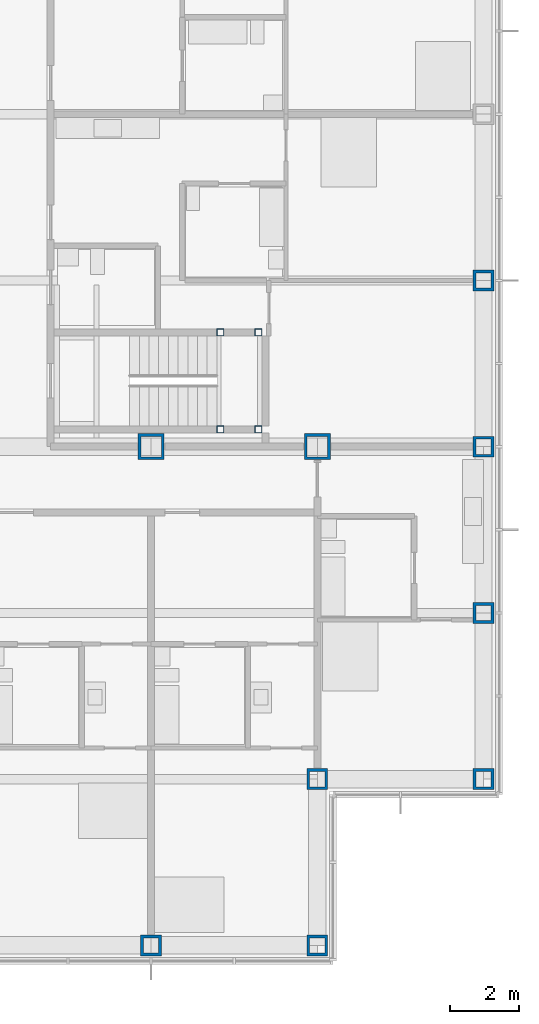
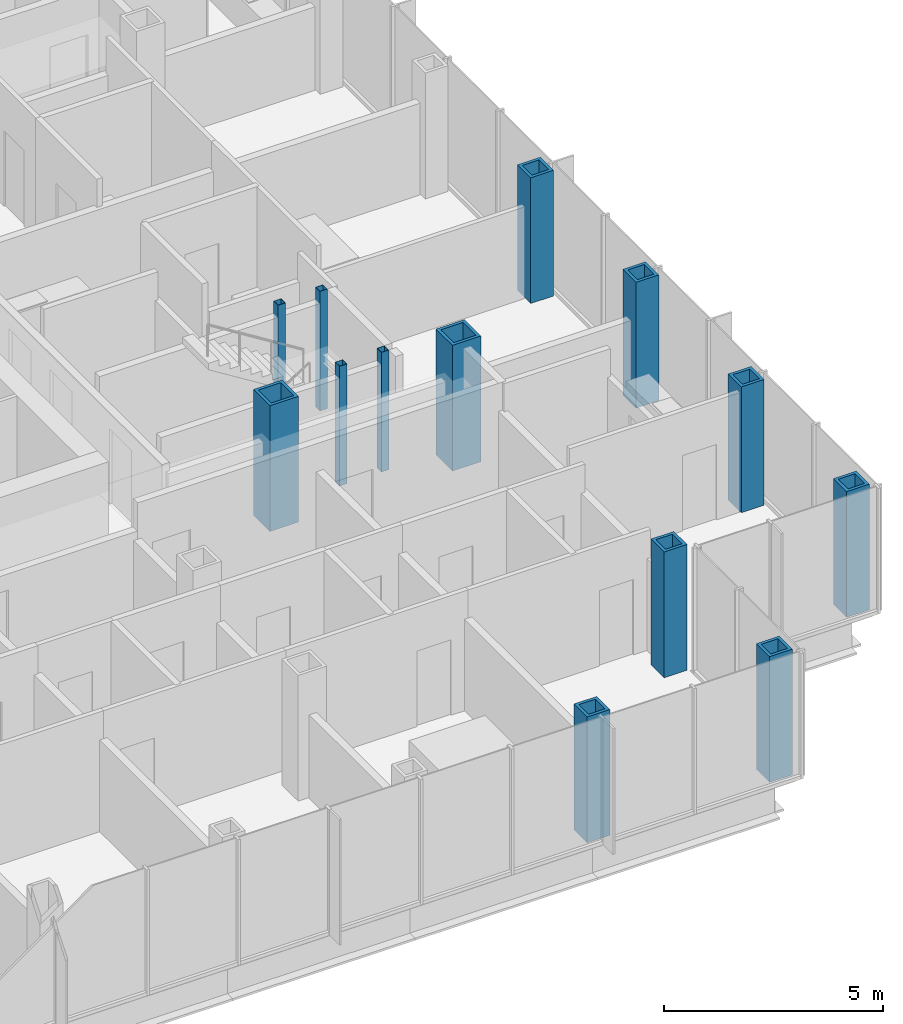
# One storey, part 4 of 22: 13 columns.
"""IFC4 building model written with IfcOpenShell, lengths in metres."""

from ifc_helpers import new_model, si_unit, direction, frame, origin, origin_2d, place, context, subcontext, project, spatial, hollow_rectangle, extrude, material, material_profile, profile_set, type_object, element, save


model = new_model("IFC4")

# Units and contexts
model_context = context("Model", 3, precision=1e-05, world=origin(), true_north=direction((0.0, 1.0)))
body_context = subcontext(model_context, "Body", "Model", "MODEL_VIEW")
ifc_project = project(units=[si_unit("LENGTHUNIT", "METRE"), si_unit("AREAUNIT", "SQUARE_METRE"), si_unit("VOLUMEUNIT", "CUBIC_METRE"), si_unit("PLANEANGLEUNIT", "RADIAN"), si_unit("MASSUNIT", "GRAM", prefix="KILO")], contexts=[model_context])

# Site, building, storey
site_placement = place(None, origin())
site = spatial("IfcSite", under=ifc_project, at=site_placement, CompositionType="ELEMENT")
building_placement = place(site_placement, origin())
building = spatial("IfcBuilding", under=site, at=building_placement, Name="Kvirike Care Tower", CompositionType="ELEMENT")
storey_placement = place(building_placement, frame((0.0, 0.0, 72.5)))
storey = spatial("IfcBuildingStorey", under=building, at=storey_placement, Name="L19", CompositionType="ELEMENT", Elevation=72.5)

# Columns
ifc_material_1 = material(Name="Steel S460", Category="steel")
ifc_material_profile_1 = material_profile(ifc_material_1, hollow_rectangle(XDim=0.60009765625, YDim=0.60009765625, WallThickness=0.080078125, at=origin_2d()), Name="BX 600x600x80")
ifc_profile_set_1 = profile_set([ifc_material_profile_1], Name="Steel S460")
column_type_1 = type_object("IfcColumnType", Name="COLUMN BX 600x600x80", PredefinedType="COLUMN", material=ifc_profile_set_1)
for number, where, z_axis, x_axis, name in (
    (1, (33.60009765625, 14.39990234375, 0.0), (0.0, 0.0, 1.0), (0.0, 1.0, 0.0), "Column D10 L19"),
    (2, (38.39990234375, 14.39990234375, 0.0), (0.0, 0.0, 1.0), (0.0, 1.0, 0.0), "Column D11 L19"),
    (3, (38.39990234375, 19.199951171875, 0.0), (0.0, 0.0, 1.0), (0.0, 1.0, 0.0), "Column E11 L19"),
    (4, (43.199951171875, 19.199951171875, 0.0), (0.0, 0.0, 1.0), (0.0, 1.0, 0.0), "Column E12 L19"),
    (5, (43.199951171875, 24.0, 0.0), (0.0, 0.0, 1.0), (1.0, 0.0, 0.0), "Column F12 L19"),
    (6, (43.199951171875, 28.800048828125, 0.0), (0.0, 0.0, 1.0), (0.0, 1.0, 0.0), "Column G12 L19"),
    (7, (43.199951171875, 33.60009765625, 0.0), (0.0, 0.0, 1.0), (1.0, 0.0, 0.0), "Column H12 L19"),
):
    element("IfcColumn", number, at=place(storey_placement, frame(where, z_axis=z_axis, x_axis=x_axis)), inside=storey, type_object=column_type_1, Name=name, PredefinedType="COLUMN", context=body_context, shape_type="SweptSolid", body=[
        extrude(hollow_rectangle(XDim=0.60009765625, YDim=0.60009765625, WallThickness=0.080078125, at=origin_2d()), origin(), (0.0, 0.0, 1.0), 3.5),
    ])
ifc_material_2 = material(Name="Steel S460", Category="steel")
ifc_material_profile_2 = material_profile(ifc_material_2, hollow_rectangle(XDim=0.75, YDim=0.75, WallThickness=0.080078125, at=origin_2d()), Name="BX 750x750x80")
ifc_profile_set_2 = profile_set([ifc_material_profile_2], Name="Steel S460")
column_type_2 = type_object("IfcColumnType", Name="COLUMN BX 750x750x80", PredefinedType="COLUMN", material=ifc_profile_set_2)
for number, where, z_axis, x_axis, name in (
    (8, (33.60009765625, 28.800048828125, 0.0), (0.0, 0.0, 1.0), (0.0, 1.0, 0.0), "Column G10 L19"),
    (9, (38.39990234375, 28.800048828125, 0.0), (0.0, 0.0, 1.0), (0.0, 1.0, 0.0), "Column G11 L19"),
):
    element("IfcColumn", number, at=place(storey_placement, frame(where, z_axis=z_axis, x_axis=x_axis)), inside=storey, type_object=column_type_2, Name=name, PredefinedType="COLUMN", context=body_context, shape_type="SweptSolid", body=[
        extrude(hollow_rectangle(XDim=0.75, YDim=0.75, WallThickness=0.080078125, at=origin_2d()), origin(), (0.0, 0.0, 1.0), 3.5),
    ])
ifc_material_3 = material(Name="Steel S460", Category="steel")
ifc_material_profile_3 = material_profile(ifc_material_3, hollow_rectangle(XDim=0.199951171875, YDim=0.199951171875, WallThickness=0.008056640625, at=origin_2d()), Name="SHS 200x200x8")
ifc_profile_set_3 = profile_set([ifc_material_profile_3], Name="Steel S460")
column_type_3 = type_object("IfcColumnType", Name="STAIR POST SHS 200x200x8", PredefinedType="COLUMN", material=ifc_profile_set_3)
for number, where, z_axis, x_axis, name in (
    (10, (36.699951171875, 29.300048828125, 0.0), (0.0, 0.0, 1.0), (1.0, 0.0, 0.0), "Stair 2 post 1 L19"),
    (11, (36.699951171875, 32.10009765625, 0.0), (0.0, 0.0, 1.0), (1.0, 0.0, 0.0), "Stair 2 post 2 L19"),
    (12, (35.60009765625, 29.300048828125, 0.0), (0.0, 0.0, 1.0), (1.0, 0.0, 0.0), "Stair 2 post 3 L19"),
    (13, (35.60009765625, 32.10009765625, 0.0), (0.0, 0.0, 1.0), (1.0, 0.0, 0.0), "Stair 2 post 4 L19"),
):
    element("IfcColumn", number, at=place(storey_placement, frame(where, z_axis=z_axis, x_axis=x_axis)), inside=storey, type_object=column_type_3, Name=name, PredefinedType="COLUMN", context=body_context, shape_type="SweptSolid", body=[
        extrude(hollow_rectangle(XDim=0.199951171875, YDim=0.199951171875, WallThickness=0.008056640625, at=origin_2d()), origin(), (0.0, 0.0, 1.0), 3.330078125),
    ])

save(model, "model.ifc")
